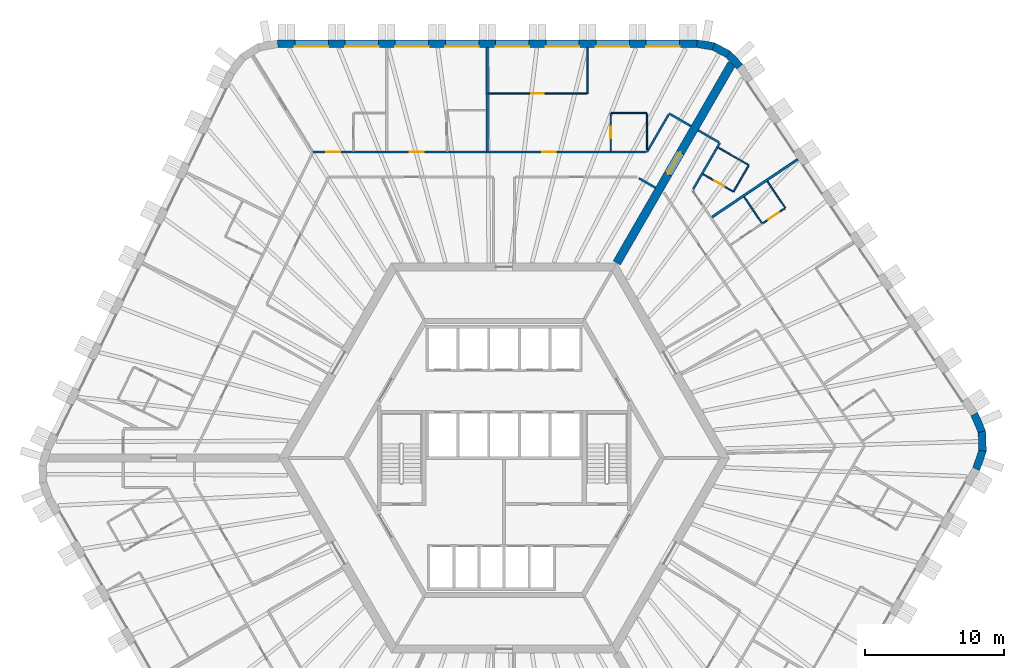
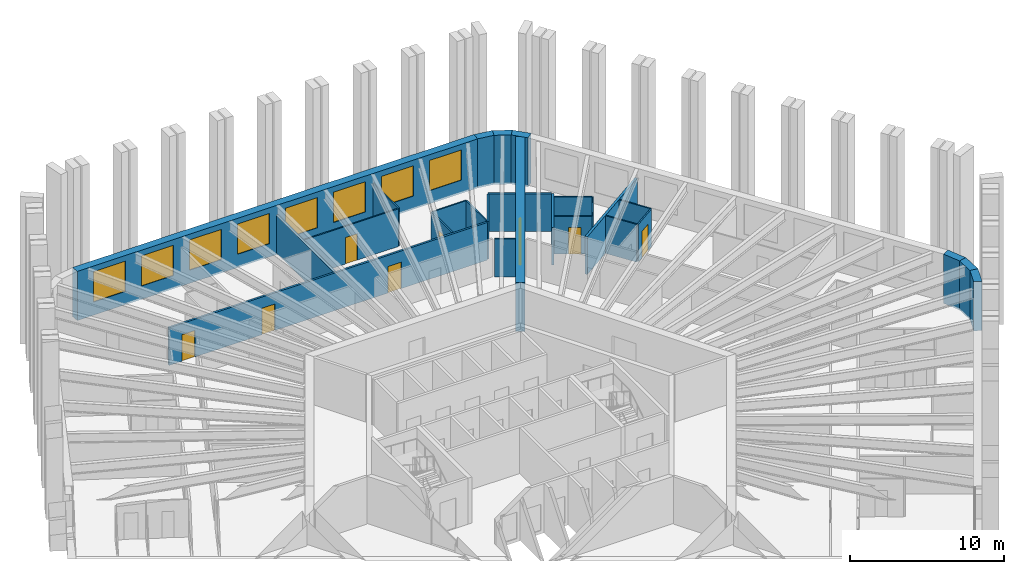
# One storey, part 10 of 13: 27 walls, 8 doors, 8 windows, 16 openings.
"""IFC4 building model written with IfcOpenShell, lengths in metres."""

from ifc_helpers import new_model, si_unit, direction, frame, frame_2d, origin, place, context, subcontext, project, spatial, polyline, rectangle, outline, extrude, material, layer, layer_set, type_object, element, fill, save


model = new_model("IFC4")

# Units and contexts
model_context = context("Model", 3, precision=1e-05, world=origin(), true_north=direction((0.0, 1.0)))
body_context = subcontext(model_context, "Body", "Model", "MODEL_VIEW")
ifc_project = project(units=[si_unit("LENGTHUNIT", "METRE"), si_unit("AREAUNIT", "SQUARE_METRE"), si_unit("VOLUMEUNIT", "CUBIC_METRE"), si_unit("PLANEANGLEUNIT", "RADIAN"), si_unit("MASSUNIT", "GRAM", prefix="KILO")], contexts=[model_context])

# Site, building, storey
site_placement = place(None, origin())
site = spatial("IfcSite", under=ifc_project, at=site_placement, CompositionType="ELEMENT")
building_placement = place(site_placement, origin())
building = spatial("IfcBuilding", under=site, at=building_placement, Name="Tarnside Tower", CompositionType="ELEMENT")
storey_placement = place(building_placement, frame((0.0, 0.0, 123.300048828125)))
storey = spatial("IfcBuildingStorey", under=building, at=storey_placement, Name="L28", CompositionType="ELEMENT", Elevation=123.300048828125)

# Wall, opening, door
ifc_material_1 = material(Name="Gypsum board partition on steel studs", Category="steel")
ifc_layer_1 = layer(ifc_material_1, 0.10009765625)
ifc_layer_set_1 = layer_set([ifc_layer_1], Name="Bathroom wall 100")
wall_type_1 = type_object("IfcWallType", Name="Bathroom wall 100", PredefinedType="PARTITIONING", material=ifc_layer_set_1)
wall_1_placement = place(storey_placement, frame((7.64794921875, 22.02490234375, 0.0), z_axis=(0.0, 0.0, 1.0), x_axis=(0.0, 1.0, 0.0)))
wall_1 = element("IfcWall", 1, at=wall_1_placement, inside=storey, type_object=wall_type_1, Name="Bathroom wall 09081", PredefinedType="PARTITIONING", context=body_context, shape_type="SweptSolid", body=[
    extrude(rectangle(XDim=2.72509765625, YDim=0.10009765625, at=frame_2d((1.362548828125, 0.0))), origin(), (0.0, 0.0, 1.0), 2.98779296875),
])
opening_1_placement = place(wall_1_placement, frame((0.925048828125, 0.0, 0.0)))
opening_1 = element("IfcOpeningElement", 2, at=opening_1_placement, cuts=wall_1, Name="Opening D-B1", PredefinedType="OPENING", context=body_context, shape_type="SweptSolid", body=[
    extrude(rectangle(XDim=0.800048828125, YDim=2.10009765625, at=frame_2d((0.39990234375, 1.050048828125))), frame((0.0, 0.06005859375, 0.0), z_axis=(0.0, -1.0, 0.0), x_axis=(1.0, 0.0, 0.0)), (0.0, 0.0, 1.0), 0.1201171875),
])
ifc_material_2 = material(Name="Timber door leaf", Category="wood")
door_type_1 = type_object("IfcDoorType", Name="Bathroom door 800", OperationType="NOTDEFINED", PredefinedType="DOOR", material=ifc_material_2)
door_1_placement = place(opening_1_placement, origin())
door_1 = element("IfcDoor", 3, at=door_1_placement, inside=storey, type_object=door_type_1, Name="Bathroom door 09002", OperationType="SINGLE_SWING_RIGHT", OverallHeight=2.10009765625, OverallWidth=0.800048828125, PredefinedType="DOOR", context=body_context, shape_type="SweptSolid", body=[
    extrude(rectangle(XDim=0.800048828125, YDim=2.10009765625, at=frame_2d((0.39990234375, 1.050048828125))), frame((0.0, 0.02490234375, 0.0), z_axis=(0.0, -1.0, 0.0), x_axis=(1.0, 0.0, 0.0)), (0.0, 0.0, 1.0), 0.050048828125),
])
fill(opening_1, door_1)

# Walls
wall_2_placement = place(storey_placement, frame((7.697998046875, 24.75, 0.0), z_axis=(0.0, 0.0, 1.0), x_axis=(1.0, 0.0, 0.0)))
element("IfcWall", 4, at=wall_2_placement, inside=storey, type_object=wall_type_1, Name="Bathroom wall 09082", PredefinedType="PARTITIONING", context=body_context, shape_type="SweptSolid", body=[
    extrude(rectangle(XDim=2.550048828125, YDim=0.10009765625, at=frame_2d((1.27490234375, 0.0))), origin(), (0.0, 0.0, 1.0), 2.98779296875),
])
wall_3_placement = place(storey_placement, frame((10.248046875, 24.699951171875, 0.0), z_axis=(0.0, 0.0, 1.0), x_axis=(0.0, -1.0, 0.0)))
element("IfcWall", 5, at=wall_3_placement, inside=storey, type_object=wall_type_1, Name="Bathroom wall 09083", PredefinedType="PARTITIONING", context=body_context, shape_type="SweptSolid", body=[
    extrude(rectangle(XDim=2.599853515625, YDim=0.10009765625, at=frame_2d((1.2998046875, 0.0))), origin(), (0.0, 0.0, 1.0), 2.98779296875),
])
wall_4_placement = place(storey_placement, frame((18.48388671875, 16.856689453125, 0.0), z_axis=(0.0, 0.0, 1.0), x_axis=(-0.559203826655, 0.82903020467, 0.0)))
element("IfcWall", 6, at=wall_4_placement, inside=storey, type_object=wall_type_1, Name="Bathroom wall 09168", PredefinedType="PARTITIONING", context=body_context, shape_type="SweptSolid", body=[
    extrude(rectangle(XDim=2.26025390625, YDim=0.10009765625, at=frame_2d((1.130126953125, 0.0))), origin(), (0.0, 0.0, 1.0), 2.98779296875),
])
wall_5_placement = place(storey_placement, frame((15.36865234375, 22.26953125, 0.0), z_axis=(0.0, 0.0, 1.0), x_axis=(0.866039067339, -0.499976333282, 0.0)))
element("IfcWall", 7, at=wall_5_placement, inside=storey, type_object=wall_type_1, Name="Bathroom wall 09171", PredefinedType="PARTITIONING", context=body_context, shape_type="SweptSolid", body=[
    extrude(rectangle(XDim=2.52490234375, YDim=0.10009765625, at=frame_2d((1.262451171875, 0.0))), origin(), (0.0, 0.0, 1.0), 2.98779296875),
])
wall_6_placement = place(storey_placement, frame((17.530517578125, 20.963623046875, 0.0), z_axis=(0.0, 0.0, 1.0), x_axis=(-0.500010803666, -0.866019166195, 0.0)))
element("IfcWall", 8, at=wall_6_placement, inside=storey, type_object=wall_type_1, Name="Bathroom wall 09172", PredefinedType="PARTITIONING", context=body_context, shape_type="SweptSolid", body=[
    extrude(rectangle(XDim=2.14990234375, YDim=0.10009765625, at=frame_2d((1.074951171875, 0.0))), origin(), (0.0, 0.0, 1.0), 2.98779296875),
])

# Wall, opening, door
wall_7_placement = place(storey_placement, frame((16.412109375, 19.126708984375, 0.0), z_axis=(0.0, 0.0, 1.0), x_axis=(-0.866006523861, 0.500032699561, 0.0)))
wall_7 = element("IfcWall", 9, at=wall_7_placement, inside=storey, type_object=wall_type_1, Name="Bathroom wall 09173", PredefinedType="PARTITIONING", context=body_context, shape_type="SweptSolid", body=[
    extrude(rectangle(XDim=2.474853515625, YDim=0.10009765625, at=frame_2d((1.2373046875, 0.0))), origin(), (0.0, 0.0, 1.0), 2.98779296875),
])
opening_2_placement = place(wall_7_placement, frame((0.719970703125, 0.0, 0.0)))
opening_2 = element("IfcOpeningElement", 10, at=opening_2_placement, cuts=wall_7, Name="Opening D-B1", PredefinedType="OPENING", context=body_context, shape_type="SweptSolid", body=[
    extrude(rectangle(XDim=0.800048828125, YDim=2.10009765625, at=frame_2d((0.39990234375, 1.050048828125))), frame((0.0, 0.06005859375, 0.0), z_axis=(0.0, -1.0, 0.0), x_axis=(1.0, 0.0, 0.0)), (0.0, 0.0, 1.0), 0.1201171875),
])
door_2_placement = place(opening_2_placement, origin())
door_2 = element("IfcDoor", 11, at=door_2_placement, inside=storey, type_object=door_type_1, Name="Bathroom door 09044", OperationType="SINGLE_SWING_RIGHT", OverallHeight=2.10009765625, OverallWidth=0.800048828125, PredefinedType="DOOR", context=body_context, shape_type="SweptSolid", body=[
    extrude(rectangle(XDim=0.800048828125, YDim=2.10009765625, at=frame_2d((0.39990234375, 1.050048828125))), frame((0.0, 0.02490234375, 0.0), z_axis=(0.0, -1.0, 0.0), x_axis=(1.0, 0.0, 0.0)), (0.0, 0.0, 1.0), 0.050048828125),
])
fill(opening_2, door_2)

ifc_material_3 = material(Name="Concrete C80/95", Category="concrete")
ifc_layer_2 = layer(ifc_material_3, 0.60009765625)
ifc_layer_set_2 = layer_set([ifc_layer_2], Name="Core wall Z1 600 C80/95")
wall_type_2 = type_object("IfcWallType", Name="Core wall Z1 600 C80/95", PredefinedType="SHEAR", material=ifc_layer_set_2)
wall_8_placement = place(storey_placement, frame((8.0830078125, 14.0, -0.150146484375), z_axis=(0.0, 0.0, 1.0), x_axis=(0.499997680643, 0.866026742862, 0.0)))
wall_8 = element("IfcWall", 12, at=wall_8_placement, inside=storey, type_object=wall_type_2, Name="L28 spine wall 1", PredefinedType="SHEAR", context=body_context, shape_type="SweptSolid", body=[
    extrude(rectangle(XDim=16.5087890625, YDim=0.60009765625, at=frame_2d((8.25439453125, 0.0))), origin(), (0.0, 0.0, 1.0), 3.900146484375),
])
opening_3_placement = place(wall_8_placement, frame((7.3544921875, 0.0, 0.14990234375)))
opening_3 = element("IfcOpeningElement", 13, at=opening_3_placement, cuts=wall_8, Name="Opening CD-SPN", PredefinedType="OPENING", context=body_context, shape_type="SweptSolid", body=[
    extrude(rectangle(XDim=1.800048828125, YDim=2.39990234375, at=frame_2d((0.89990234375, 1.199951171875))), frame((0.0, 0.31005859375, 0.0), z_axis=(0.0, -1.0, 0.0), x_axis=(1.0, 0.0, 0.0)), (0.0, 0.0, 1.0), 0.6201171875),
])
ifc_material_4 = material(Name="Steel fire door", Category="steel")
door_type_2 = type_object("IfcDoorType", Name="Spine passage double door FD60 1800x2400", OperationType="NOTDEFINED", PredefinedType="DOOR", material=ifc_material_4)
door_3_placement = place(opening_3_placement, origin())
door_3 = element("IfcDoor", 14, at=door_3_placement, inside=storey, type_object=door_type_2, Name="L28 spine passage door 1", OperationType="DOUBLE_DOOR_SINGLE_SWING", OverallHeight=2.39990234375, OverallWidth=1.800048828125, PredefinedType="DOOR", context=body_context, shape_type="SweptSolid", body=[
    extrude(rectangle(XDim=1.800048828125, YDim=2.39990234375, at=frame_2d((0.89990234375, 1.199951171875))), frame((0.0, 0.02490234375, 0.0), z_axis=(0.0, -1.0, 0.0), x_axis=(1.0, 0.0, 0.0)), (0.0, 0.0, 1.0), 0.050048828125),
])
fill(opening_3, door_3)

# Wall, openings, doors
ifc_layer_3 = layer(ifc_material_1, 0.14990234375)
ifc_layer_set_3 = layer_set([ifc_layer_3], Name="Corridor wall 150 EI 60")
wall_type_3 = type_object("IfcWallType", Name="Corridor wall 150 EI 60", PredefinedType="PARTITIONING", material=ifc_layer_set_3)
wall_9_placement = place(storey_placement, frame((10.161376953125, 21.949951171875, 0.0), z_axis=(0.0, 0.0, 1.0), x_axis=(-1.0, 0.0, 0.0)))
wall_9 = element("IfcWall", 15, at=wall_9_placement, inside=storey, type_object=wall_type_3, Name="Corridor wall 09001", PredefinedType="PARTITIONING", context=body_context, shape_type="SweptSolid", body=[
    extrude(rectangle(XDim=23.877197265625, YDim=0.14990234375, at=frame_2d((11.9384765625, 0.0))), origin(), (0.0, 0.0, 1.0), 2.98779296875),
])
opening_4_placement = place(wall_9_placement, frame((6.44287109375, 0.0, 0.0)))
opening_4 = element("IfcOpeningElement", 16, at=opening_4_placement, cuts=wall_9, Name="Opening D-E1", PredefinedType="OPENING", context=body_context, shape_type="SweptSolid", body=[
    extrude(rectangle(XDim=1.0, YDim=2.10009765625, at=frame_2d((0.5, 1.050048828125))), frame((0.0, 0.0849609375, 0.0), z_axis=(0.0, -1.0, 0.0), x_axis=(1.0, 0.0, 0.0)), (0.0, 0.0, 1.0), 0.169921875),
])
opening_5_placement = place(wall_9_placement, frame((15.92236328125, 0.0, 0.0)))
opening_5 = element("IfcOpeningElement", 17, at=opening_5_placement, cuts=wall_9, Name="Opening D-E1", PredefinedType="OPENING", context=body_context, shape_type="SweptSolid", body=[
    extrude(rectangle(XDim=1.0, YDim=2.10009765625, at=frame_2d((0.5, 1.050048828125))), frame((0.0, 0.0849609375, 0.0), z_axis=(0.0, -1.0, 0.0), x_axis=(1.0, 0.0, 0.0)), (0.0, 0.0, 1.0), 0.169921875),
])
opening_6_placement = place(wall_9_placement, frame((21.9248046875, 0.0, 0.0)))
opening_6 = element("IfcOpeningElement", 18, at=opening_6_placement, cuts=wall_9, Name="Opening D-E1", PredefinedType="OPENING", context=body_context, shape_type="SweptSolid", body=[
    extrude(rectangle(XDim=1.0, YDim=2.10009765625, at=frame_2d((0.5, 1.050048828125))), frame((0.0, 0.0849609375, 0.0), z_axis=(0.0, -1.0, 0.0), x_axis=(1.0, 0.0, 0.0)), (0.0, 0.0, 1.0), 0.169921875),
])
door_type_3 = type_object("IfcDoorType", Name="Unit entrance door 1000 FD30S", OperationType="NOTDEFINED", PredefinedType="DOOR", material=ifc_material_2)
door_4_placement = place(opening_4_placement, origin())
door_4 = element("IfcDoor", 19, at=door_4_placement, inside=storey, type_object=door_type_3, Name="Unit door 09001", OperationType="SINGLE_SWING_RIGHT", OverallHeight=2.10009765625, OverallWidth=1.0, PredefinedType="DOOR", context=body_context, shape_type="SweptSolid", body=[
    extrude(rectangle(XDim=1.0, YDim=2.10009765625, at=frame_2d((0.5, 1.050048828125))), frame((0.0, 0.02490234375, 0.0), z_axis=(0.0, -1.0, 0.0), x_axis=(1.0, 0.0, 0.0)), (0.0, 0.0, 1.0), 0.050048828125),
])
fill(opening_4, door_4)
door_5_placement = place(opening_5_placement, origin())
door_5 = element("IfcDoor", 20, at=door_5_placement, inside=storey, type_object=door_type_3, Name="Unit door 09004", OperationType="SINGLE_SWING_LEFT", OverallHeight=2.10009765625, OverallWidth=1.0, PredefinedType="DOOR", context=body_context, shape_type="SweptSolid", body=[
    extrude(rectangle(XDim=1.0, YDim=2.10009765625, at=frame_2d((0.5, 1.050048828125))), frame((0.0, 0.02490234375, 0.0), z_axis=(0.0, -1.0, 0.0), x_axis=(1.0, 0.0, 0.0)), (0.0, 0.0, 1.0), 0.050048828125),
])
fill(opening_5, door_5)
door_6_placement = place(opening_6_placement, origin())
door_6 = element("IfcDoor", 21, at=door_6_placement, inside=storey, type_object=door_type_3, Name="Unit door 09006", OperationType="SINGLE_SWING_LEFT", OverallHeight=2.10009765625, OverallWidth=1.0, PredefinedType="DOOR", context=body_context, shape_type="SweptSolid", body=[
    extrude(rectangle(XDim=1.0, YDim=2.10009765625, at=frame_2d((0.5, 1.050048828125))), frame((0.0, 0.02490234375, 0.0), z_axis=(0.0, -1.0, 0.0), x_axis=(1.0, 0.0, 0.0)), (0.0, 0.0, 1.0), 0.050048828125),
])
fill(opening_6, door_6)

# Walls
wall_10_placement = place(storey_placement, frame((13.400390625, 23.81005859375, 0.0), z_axis=(0.0, 0.0, 1.0), x_axis=(-0.865989075817, 0.500062916607, 0.0)))
element("IfcWall", 22, at=wall_10_placement, inside=storey, type_object=wall_type_3, Name="Corridor wall 09002", PredefinedType="PARTITIONING", context=body_context, shape_type="SweptSolid", body=[
    extrude(rectangle(XDim=1.800048828125, YDim=0.14990234375, at=frame_2d((0.89990234375, 0.0))), origin(), (0.0, 0.0, 1.0), 2.98779296875),
])
wall_11_placement = place(storey_placement, frame((11.803955078125, 24.64501953125, 0.0), z_axis=(0.0, 0.0, 1.0), x_axis=(-0.499978251519, -0.866037959912, 0.0)))
element("IfcWall", 23, at=wall_11_placement, inside=storey, type_object=wall_type_3, Name="Corridor wall 09003", PredefinedType="PARTITIONING", context=body_context, shape_type="SweptSolid", body=[
    extrude(rectangle(XDim=3.112060546875, YDim=0.14990234375, at=frame_2d((1.55615234375, 0.0))), origin(), (0.0, 0.0, 1.0), 2.98779296875),
])
wall_12_placement = place(storey_placement, frame((9.6669921875, 20.074951171875, 0.0), z_axis=(0.0, 0.0, 1.0), x_axis=(0.866000994684, -0.500042275419, 0.0)))
element("IfcWall", 24, at=wall_12_placement, inside=storey, type_object=wall_type_3, Name="Corridor wall 09024", PredefinedType="PARTITIONING", context=body_context, shape_type="SweptSolid", body=[
    extrude(rectangle(XDim=1.36572265625, YDim=0.14990234375, at=frame_2d((0.682861328125, 0.0))), origin(), (0.0, 0.0, 1.0), 2.98779296875),
])
wall_13_placement = place(storey_placement, frame((13.55908203125, 19.284912109375, 0.0), z_axis=(0.0, 0.0, 1.0), x_axis=(0.499975646431, 0.866039463868, 0.0)))
element("IfcWall", 25, at=wall_13_placement, inside=storey, type_object=wall_type_3, Name="Corridor wall 09066", PredefinedType="PARTITIONING", context=body_context, shape_type="SweptSolid", body=[
    extrude(rectangle(XDim=3.839599609375, YDim=0.14990234375, at=frame_2d((1.919921875, 0.0))), origin(), (0.0, 0.0, 1.0), 2.98779296875),
])
wall_14_placement = place(storey_placement, frame((15.413818359375, 22.647705078125, 0.0), z_axis=(0.0, 0.0, 1.0), x_axis=(-0.866074815912, 0.499914405916, 0.0)))
element("IfcWall", 26, at=wall_14_placement, inside=storey, type_object=wall_type_3, Name="Corridor wall 09067", PredefinedType="PARTITIONING", context=body_context, shape_type="SweptSolid", body=[
    extrude(rectangle(XDim=1.724853515625, YDim=0.14990234375, at=frame_2d((0.8623046875, 0.0))), origin(), (0.0, 0.0, 1.0), 2.98779296875),
])
ifc_layer_4 = layer(ifc_material_1, 0.179931640625)
ifc_layer_set_4 = layer_set([ifc_layer_4], Name="Demising wall 180 EI 60")
wall_type_4 = type_object("IfcWallType", Name="Demising wall 180 EI 60", PredefinedType="PARTITIONING", material=ifc_layer_set_4)
for number, where, z_axis, x_axis, name in (
    (27, (-1.2109375, 29.449951171875, 0.0), (0.0, 0.0, 1.0), (0.0, -1.0, 0.0), "Demising wall 09086"),
    (28, (21.066162109375, 21.433349609375, 0.0), (0.0, 0.0, 1.0), (-0.829028170871, -0.559206841788, 0.0), "Demising wall 09167"),
):
    element("IfcWall", number, at=place(storey_placement, frame(where, z_axis=z_axis, x_axis=x_axis)), inside=storey, type_object=wall_type_4, Name=name, PredefinedType="PARTITIONING", context=body_context, shape_type="SweptSolid", body=[
        extrude(rectangle(XDim=7.425048828125, YDim=0.179931640625, at=frame_2d((3.71240234375, 0.0))), origin(), (0.0, 0.0, 1.0), 2.98779296875),
    ])
ifc_layer_5 = layer(ifc_material_1, 0.10009765625)
ifc_layer_set_5 = layer_set([ifc_layer_5], Name="Partition 100")
wall_type_5 = type_object("IfcWallType", Name="Partition 100", PredefinedType="PARTITIONING", material=ifc_layer_set_5)
wall_15_placement = place(storey_placement, frame((5.989013671875, 29.449951171875, 0.0), z_axis=(0.0, 0.0, 1.0), x_axis=(0.0, -1.0, 0.0)))
element("IfcWall", 29, at=wall_15_placement, inside=storey, type_object=wall_type_5, Name="Partition wall 09084", PredefinedType="PARTITIONING", context=body_context, shape_type="SweptSolid", body=[
    extrude(rectangle(XDim=3.300048828125, YDim=0.10009765625, at=frame_2d((1.64990234375, 0.0))), origin(), (0.0, 0.0, 1.0), 2.98779296875),
])

# Wall, opening, door
wall_16_placement = place(storey_placement, frame((5.93896484375, 26.14990234375, 0.0), z_axis=(0.0, 0.0, 1.0), x_axis=(-1.0, 0.0, 0.0)))
wall_16 = element("IfcWall", 30, at=wall_16_placement, inside=storey, type_object=wall_type_5, Name="Partition wall 09085", PredefinedType="PARTITIONING", context=body_context, shape_type="SweptSolid", body=[
    extrude(rectangle(XDim=7.06005859375, YDim=0.10009765625, at=frame_2d((3.530029296875, 0.0))), origin(), (0.0, 0.0, 1.0), 2.98779296875),
])
opening_7_placement = place(wall_16_placement, frame((3.10009765625, 0.0, 0.0)))
opening_7 = element("IfcOpeningElement", 31, at=opening_7_placement, cuts=wall_16, Name="Opening D-I1", PredefinedType="OPENING", context=body_context, shape_type="SweptSolid", body=[
    extrude(rectangle(XDim=0.89990234375, YDim=2.10009765625, at=frame_2d((0.449951171875, 1.050048828125))), frame((0.0, 0.06005859375, 0.0), z_axis=(0.0, -1.0, 0.0), x_axis=(1.0, 0.0, 0.0)), (0.0, 0.0, 1.0), 0.1201171875),
])
door_type_4 = type_object("IfcDoorType", Name="Internal door 900", OperationType="NOTDEFINED", PredefinedType="DOOR", material=ifc_material_2)
door_7_placement = place(opening_7_placement, origin())
door_7 = element("IfcDoor", 32, at=door_7_placement, inside=storey, type_object=door_type_4, Name="Internal door 09003", OperationType="SINGLE_SWING_RIGHT", OverallHeight=2.10009765625, OverallWidth=0.89990234375, PredefinedType="DOOR", context=body_context, shape_type="SweptSolid", body=[
    extrude(rectangle(XDim=0.89990234375, YDim=2.10009765625, at=frame_2d((0.449951171875, 1.050048828125))), frame((0.0, 0.02490234375, 0.0), z_axis=(0.0, -1.0, 0.0), x_axis=(1.0, 0.0, 0.0)), (0.0, 0.0, 1.0), 0.050048828125),
])
fill(opening_7, door_7)

# Wall
wall_17_placement = place(storey_placement, frame((18.878173828125, 19.848876953125, 0.0), z_axis=(0.0, 0.0, 1.0), x_axis=(0.559204176839, -0.829029968461, 0.0)))
element("IfcWall", 33, at=wall_17_placement, inside=storey, type_object=wall_type_5, Name="Partition wall 09163", PredefinedType="PARTITIONING", context=body_context, shape_type="SweptSolid", body=[
    extrude(rectangle(XDim=2.31005859375, YDim=0.10009765625, at=frame_2d((1.155029296875, 0.0))), origin(), (0.0, 0.0, 1.0), 2.98779296875),
])

# Wall, opening, door
wall_18_placement = place(storey_placement, frame((20.12841796875, 17.90576171875, 0.0), z_axis=(0.0, 0.0, 1.0), x_axis=(-0.82903334026, -0.559199178055, 0.0)))
wall_18 = element("IfcWall", 34, at=wall_18_placement, inside=storey, type_object=wall_type_5, Name="Partition wall 09164", PredefinedType="PARTITIONING", context=body_context, shape_type="SweptSolid", body=[
    extrude(rectangle(XDim=1.900146484375, YDim=0.10009765625, at=frame_2d((0.9501953125, 0.0))), origin(), (0.0, 0.0, 1.0), 2.98779296875),
])
opening_8_placement = place(wall_18_placement, frame((0.5, 0.0, 0.0)))
opening_8 = element("IfcOpeningElement", 35, at=opening_8_placement, cuts=wall_18, Name="Opening D-I1", PredefinedType="OPENING", context=body_context, shape_type="SweptSolid", body=[
    extrude(rectangle(XDim=0.89990234375, YDim=2.10009765625, at=frame_2d((0.449951171875, 1.050048828125))), frame((0.0, 0.06005859375, 0.0), z_axis=(0.0, -1.0, 0.0), x_axis=(1.0, 0.0, 0.0)), (0.0, 0.0, 1.0), 0.1201171875),
])
door_8_placement = place(opening_8_placement, origin())
door_8 = element("IfcDoor", 36, at=door_8_placement, inside=storey, type_object=door_type_4, Name="Internal door 09041", OperationType="SINGLE_SWING_RIGHT", OverallHeight=2.10009765625, OverallWidth=0.89990234375, PredefinedType="DOOR", context=body_context, shape_type="SweptSolid", body=[
    extrude(rectangle(XDim=0.89990234375, YDim=2.10009765625, at=frame_2d((0.449951171875, 1.050048828125))), frame((0.0, 0.02490234375, 0.0), z_axis=(0.0, -1.0, 0.0), x_axis=(1.0, 0.0, 0.0)), (0.0, 0.0, 1.0), 0.050048828125),
])
fill(opening_8, door_8)

# Wall, openings, windows
ifc_material_5 = material(Name="Facing brick", Category="masonry")
ifc_layer_6 = layer(ifc_material_5, 0.10205078125)
ifc_material_6 = material(Name="Concrete C60/75 precast", Category="concrete")
ifc_layer_7 = layer(ifc_material_6, 0.347900390625)
ifc_material_7 = material(Name="Mineral wool insulation")
ifc_layer_8 = layer(ifc_material_7, 0.10009765625)
ifc_layer_set_6 = layer_set([ifc_layer_6, ifc_layer_7, ifc_layer_8], Name="Tube wall 550 brick faced")
wall_type_6 = type_object("IfcWallType", Name="Tube wall 550 brick faced", PredefinedType="SOLIDWALL", material=ifc_layer_set_6)
wall_19_placement = place(storey_placement, frame((13.824462890625, 29.72509765625, -0.150146484375), z_axis=(0.0, 0.0, 1.0), x_axis=(-1.0, 0.0, 0.0)))
wall_19 = element("IfcWall", 37, at=wall_19_placement, inside=storey, type_object=wall_type_6, Name="Tube wall L28 F1 flush 00", PredefinedType="SOLIDWALL", context=body_context, shape_type="SweptSolid", body=[
    extrude(outline(polyline([(-0.0224609375, -0.27490234375), (30.0966796875, -0.27490234375), (30.04541015625, 0.27490234375), (0.0224609375, 0.27490234375), (-0.0224609375, -0.27490234375)])), origin(), (0.0, 0.0, 1.0), 3.900146484375),
])
opening_9_placement = place(wall_19_placement, frame((1.235595703125, 0.0, 1.050048828125)))
opening_9 = element("IfcOpeningElement", 38, at=opening_9_placement, cuts=wall_19, Name="Opening WH", PredefinedType="OPENING", context=body_context, shape_type="SweptSolid", body=[
    extrude(rectangle(XDim=2.39990234375, YDim=2.39990234375, at=frame_2d((1.199951171875, 1.199951171875))), frame((0.0, 0.28515625, 0.0), z_axis=(0.0, -1.0, 0.0), x_axis=(1.0, 0.0, 0.0)), (0.0, 0.0, 1.0), 0.570068359375),
])
opening_10_placement = place(wall_19_placement, frame((4.83544921875, 0.0, 1.050048828125)))
opening_10 = element("IfcOpeningElement", 39, at=opening_10_placement, cuts=wall_19, Name="Opening WH", PredefinedType="OPENING", context=body_context, shape_type="SweptSolid", body=[
    extrude(rectangle(XDim=2.39990234375, YDim=2.39990234375, at=frame_2d((1.199951171875, 1.199951171875))), frame((0.0, 0.28515625, 0.0), z_axis=(0.0, -1.0, 0.0), x_axis=(1.0, 0.0, 0.0)), (0.0, 0.0, 1.0), 0.570068359375),
])
opening_11_placement = place(wall_19_placement, frame((8.435546875, 0.0, 1.050048828125)))
opening_11 = element("IfcOpeningElement", 40, at=opening_11_placement, cuts=wall_19, Name="Opening WH", PredefinedType="OPENING", context=body_context, shape_type="SweptSolid", body=[
    extrude(rectangle(XDim=2.39990234375, YDim=2.39990234375, at=frame_2d((1.199951171875, 1.199951171875))), frame((0.0, 0.28515625, 0.0), z_axis=(0.0, -1.0, 0.0), x_axis=(1.0, 0.0, 0.0)), (0.0, 0.0, 1.0), 0.570068359375),
])
opening_12_placement = place(wall_19_placement, frame((12.035400390625, 0.0, 1.050048828125)))
opening_12 = element("IfcOpeningElement", 41, at=opening_12_placement, cuts=wall_19, Name="Opening WH", PredefinedType="OPENING", context=body_context, shape_type="SweptSolid", body=[
    extrude(rectangle(XDim=2.39990234375, YDim=2.39990234375, at=frame_2d((1.199951171875, 1.199951171875))), frame((0.0, 0.28515625, 0.0), z_axis=(0.0, -1.0, 0.0), x_axis=(1.0, 0.0, 0.0)), (0.0, 0.0, 1.0), 0.570068359375),
])
opening_13_placement = place(wall_19_placement, frame((15.635498046875, 0.0, 1.050048828125)))
opening_13 = element("IfcOpeningElement", 42, at=opening_13_placement, cuts=wall_19, Name="Opening WH", PredefinedType="OPENING", context=body_context, shape_type="SweptSolid", body=[
    extrude(rectangle(XDim=2.39990234375, YDim=2.39990234375, at=frame_2d((1.199951171875, 1.199951171875))), frame((0.0, 0.28515625, 0.0), z_axis=(0.0, -1.0, 0.0), x_axis=(1.0, 0.0, 0.0)), (0.0, 0.0, 1.0), 0.570068359375),
])
opening_14_placement = place(wall_19_placement, frame((19.235595703125, 0.0, 1.050048828125)))
opening_14 = element("IfcOpeningElement", 43, at=opening_14_placement, cuts=wall_19, Name="Opening WH", PredefinedType="OPENING", context=body_context, shape_type="SweptSolid", body=[
    extrude(rectangle(XDim=2.39990234375, YDim=2.39990234375, at=frame_2d((1.199951171875, 1.199951171875))), frame((0.0, 0.28515625, 0.0), z_axis=(0.0, -1.0, 0.0), x_axis=(1.0, 0.0, 0.0)), (0.0, 0.0, 1.0), 0.570068359375),
])
opening_15_placement = place(wall_19_placement, frame((22.83544921875, 0.0, 1.050048828125)))
opening_15 = element("IfcOpeningElement", 44, at=opening_15_placement, cuts=wall_19, Name="Opening WH", PredefinedType="OPENING", context=body_context, shape_type="SweptSolid", body=[
    extrude(rectangle(XDim=2.39990234375, YDim=2.39990234375, at=frame_2d((1.199951171875, 1.199951171875))), frame((0.0, 0.28515625, 0.0), z_axis=(0.0, -1.0, 0.0), x_axis=(1.0, 0.0, 0.0)), (0.0, 0.0, 1.0), 0.570068359375),
])
opening_16_placement = place(wall_19_placement, frame((26.435546875, 0.0, 1.050048828125)))
opening_16 = element("IfcOpeningElement", 45, at=opening_16_placement, cuts=wall_19, Name="Opening WH", PredefinedType="OPENING", context=body_context, shape_type="SweptSolid", body=[
    extrude(rectangle(XDim=2.39990234375, YDim=2.39990234375, at=frame_2d((1.199951171875, 1.199951171875))), frame((0.0, 0.28515625, 0.0), z_axis=(0.0, -1.0, 0.0), x_axis=(1.0, 0.0, 0.0)), (0.0, 0.0, 1.0), 0.570068359375),
])
ifc_material_8 = material(Name="Aluminium-framed double glazing", Category="aluminium")
window_type = type_object("IfcWindowType", Name="Hotel window 2400 x 2400", PartitioningType="DOUBLE_PANEL_VERTICAL", PredefinedType="WINDOW", material=ifc_material_8)
window_1_placement = place(opening_9_placement, frame((0.0, 0.205078125, 0.0)))
window_1 = element("IfcWindow", 46, at=window_1_placement, inside=storey, type_object=window_type, Name="E.WN.L28.F1.00", OverallHeight=2.39990234375, OverallWidth=2.39990234375, PartitioningType="DOUBLE_PANEL_VERTICAL", PredefinedType="WINDOW", context=body_context, shape_type="SweptSolid", body=[
    extrude(rectangle(XDim=2.39990234375, YDim=2.39990234375, at=frame_2d((1.199951171875, 1.199951171875))), frame((0.0, 0.030029296875, 0.0), z_axis=(0.0, -1.0, 0.0), x_axis=(1.0, 0.0, 0.0)), (0.0, 0.0, 1.0), 0.06005859375),
])
fill(opening_9, window_1)
window_2_placement = place(opening_10_placement, frame((0.0, 0.205078125, 0.0)))
window_2 = element("IfcWindow", 47, at=window_2_placement, inside=storey, type_object=window_type, Name="E.WN.L28.F1.01", OverallHeight=2.39990234375, OverallWidth=2.39990234375, PartitioningType="DOUBLE_PANEL_VERTICAL", PredefinedType="WINDOW", context=body_context, shape_type="SweptSolid", body=[
    extrude(rectangle(XDim=2.39990234375, YDim=2.39990234375, at=frame_2d((1.199951171875, 1.199951171875))), frame((0.0, 0.030029296875, 0.0), z_axis=(0.0, -1.0, 0.0), x_axis=(1.0, 0.0, 0.0)), (0.0, 0.0, 1.0), 0.06005859375),
])
fill(opening_10, window_2)
window_3_placement = place(opening_11_placement, frame((0.0, 0.205078125, 0.0)))
window_3 = element("IfcWindow", 48, at=window_3_placement, inside=storey, type_object=window_type, Name="E.WN.L28.F1.02", OverallHeight=2.39990234375, OverallWidth=2.39990234375, PartitioningType="DOUBLE_PANEL_VERTICAL", PredefinedType="WINDOW", context=body_context, shape_type="SweptSolid", body=[
    extrude(rectangle(XDim=2.39990234375, YDim=2.39990234375, at=frame_2d((1.199951171875, 1.199951171875))), frame((0.0, 0.030029296875, 0.0), z_axis=(0.0, -1.0, 0.0), x_axis=(1.0, 0.0, 0.0)), (0.0, 0.0, 1.0), 0.06005859375),
])
fill(opening_11, window_3)
window_4_placement = place(opening_12_placement, frame((0.0, 0.205078125, 0.0)))
window_4 = element("IfcWindow", 49, at=window_4_placement, inside=storey, type_object=window_type, Name="E.WN.L28.F1.03", OverallHeight=2.39990234375, OverallWidth=2.39990234375, PartitioningType="DOUBLE_PANEL_VERTICAL", PredefinedType="WINDOW", context=body_context, shape_type="SweptSolid", body=[
    extrude(rectangle(XDim=2.39990234375, YDim=2.39990234375, at=frame_2d((1.199951171875, 1.199951171875))), frame((0.0, 0.030029296875, 0.0), z_axis=(0.0, -1.0, 0.0), x_axis=(1.0, 0.0, 0.0)), (0.0, 0.0, 1.0), 0.06005859375),
])
fill(opening_12, window_4)
window_5_placement = place(opening_13_placement, frame((0.0, 0.205078125, 0.0)))
window_5 = element("IfcWindow", 50, at=window_5_placement, inside=storey, type_object=window_type, Name="E.WN.L28.F1.04", OverallHeight=2.39990234375, OverallWidth=2.39990234375, PartitioningType="DOUBLE_PANEL_VERTICAL", PredefinedType="WINDOW", context=body_context, shape_type="SweptSolid", body=[
    extrude(rectangle(XDim=2.39990234375, YDim=2.39990234375, at=frame_2d((1.199951171875, 1.199951171875))), frame((0.0, 0.030029296875, 0.0), z_axis=(0.0, -1.0, 0.0), x_axis=(1.0, 0.0, 0.0)), (0.0, 0.0, 1.0), 0.06005859375),
])
fill(opening_13, window_5)
window_6_placement = place(opening_14_placement, frame((0.0, 0.205078125, 0.0)))
window_6 = element("IfcWindow", 51, at=window_6_placement, inside=storey, type_object=window_type, Name="E.WN.L28.F1.05", OverallHeight=2.39990234375, OverallWidth=2.39990234375, PartitioningType="DOUBLE_PANEL_VERTICAL", PredefinedType="WINDOW", context=body_context, shape_type="SweptSolid", body=[
    extrude(rectangle(XDim=2.39990234375, YDim=2.39990234375, at=frame_2d((1.199951171875, 1.199951171875))), frame((0.0, 0.030029296875, 0.0), z_axis=(0.0, -1.0, 0.0), x_axis=(1.0, 0.0, 0.0)), (0.0, 0.0, 1.0), 0.06005859375),
])
fill(opening_14, window_6)
window_7_placement = place(opening_15_placement, frame((0.0, 0.205078125, 0.0)))
window_7 = element("IfcWindow", 52, at=window_7_placement, inside=storey, type_object=window_type, Name="E.WN.L28.F1.06", OverallHeight=2.39990234375, OverallWidth=2.39990234375, PartitioningType="DOUBLE_PANEL_VERTICAL", PredefinedType="WINDOW", context=body_context, shape_type="SweptSolid", body=[
    extrude(rectangle(XDim=2.39990234375, YDim=2.39990234375, at=frame_2d((1.199951171875, 1.199951171875))), frame((0.0, 0.030029296875, 0.0), z_axis=(0.0, -1.0, 0.0), x_axis=(1.0, 0.0, 0.0)), (0.0, 0.0, 1.0), 0.06005859375),
])
fill(opening_15, window_7)
window_8_placement = place(opening_16_placement, frame((0.0, 0.205078125, 0.0)))
window_8 = element("IfcWindow", 53, at=window_8_placement, inside=storey, type_object=window_type, Name="E.WN.L28.F1.07", OverallHeight=2.39990234375, OverallWidth=2.39990234375, PartitioningType="DOUBLE_PANEL_VERTICAL", PredefinedType="WINDOW", context=body_context, shape_type="SweptSolid", body=[
    extrude(rectangle(XDim=2.39990234375, YDim=2.39990234375, at=frame_2d((1.199951171875, 1.199951171875))), frame((0.0, 0.030029296875, 0.0), z_axis=(0.0, -1.0, 0.0), x_axis=(1.0, 0.0, 0.0)), (0.0, 0.0, 1.0), 0.06005859375),
])
fill(opening_16, window_8)

# Walls
wall_20_placement = place(storey_placement, frame((33.865966796875, -0.79248046875, -0.150146484375), z_axis=(0.0, 0.0, 1.0), x_axis=(0.33111537203, 0.943590276765, 0.0)))
element("IfcWall", 54, at=wall_20_placement, inside=storey, type_object=wall_type_6, Name="Tube wall L28 F5 chord 17", PredefinedType="SOLIDWALL", context=body_context, shape_type="SweptSolid", body=[
    extrude(outline(polyline([(-0.025634765625, -0.27490234375), (1.4306640625, -0.27490234375), (1.3271484375, 0.27490234375), (0.025634765625, 0.27490234375), (-0.025634765625, -0.27490234375)])), origin(), (0.0, 0.0, 1.0), 3.900146484375),
])
wall_21_placement = place(storey_placement, frame((34.322509765625, 0.508544921875, -0.150146484375), z_axis=(0.0, 0.0, 1.0), x_axis=(-0.034876908462, 0.999391615562, 0.0)))
element("IfcWall", 55, at=wall_21_placement, inside=storey, type_object=wall_type_6, Name="Tube wall L28 F5 chord 18", PredefinedType="SOLIDWALL", context=body_context, shape_type="SweptSolid", body=[
    extrude(outline(polyline([(-0.0517578125, -0.27490234375), (1.4306640625, -0.27490234375), (1.3271484375, 0.27490234375), (0.0517578125, 0.27490234375), (-0.0517578125, -0.27490234375)])), origin(), (0.0, 0.0, 1.0), 3.900146484375),
])
wall_22_placement = place(storey_placement, frame((34.2744140625, 1.88671875, -0.150146484375), z_axis=(0.0, 0.0, 1.0), x_axis=(-0.396161342798, 0.918180913803, 0.0)))
element("IfcWall", 56, at=wall_22_placement, inside=storey, type_object=wall_type_6, Name="Tube wall L28 F5 chord 19", PredefinedType="SOLIDWALL", context=body_context, shape_type="SweptSolid", body=[
    extrude(outline(polyline([(-0.0517578125, -0.27490234375), (1.40478515625, -0.27490234375), (1.353515625, 0.27490234375), (0.0517578125, 0.27490234375), (-0.0517578125, -0.27490234375)])), origin(), (0.0, 0.0, 1.0), 3.900146484375),
])
wall_23_placement = place(storey_placement, frame((16.91259765625, 28.0830078125, -0.150146484375), z_axis=(0.0, 0.0, 1.0), x_axis=(-0.686196220404, 0.727416488061, 0.0)))
element("IfcWall", 57, at=wall_23_placement, inside=storey, type_object=wall_type_6, Name="Tube wall L28 F6 chord 21", PredefinedType="SOLIDWALL", context=body_context, shape_type="SweptSolid", body=[
    extrude(outline(polyline([(-0.0224609375, -0.27490234375), (1.25341796875, -0.27490234375), (1.1630859375, 0.27490234375), (0.0224609375, 0.27490234375), (-0.0224609375, -0.27490234375)])), origin(), (0.0, 0.0, 1.0), 3.900146484375),
])
wall_24_placement = place(storey_placement, frame((16.08349609375, 28.9619140625, -0.150146484375), z_axis=(0.0, 0.0, 1.0), x_axis=(-0.882995347911, 0.469381737574, 0.0)))
element("IfcWall", 58, at=wall_24_placement, inside=storey, type_object=wall_type_6, Name="Tube wall L28 F6 chord 22", PredefinedType="SOLIDWALL", context=body_context, shape_type="SweptSolid", body=[
    extrude(outline(polyline([(-0.045166015625, -0.27490234375), (1.25341796875, -0.27490234375), (1.1630859375, 0.27490234375), (0.045166015625, 0.27490234375), (-0.045166015625, -0.27490234375)])), origin(), (0.0, 0.0, 1.0), 3.900146484375),
])
wall_25_placement = place(storey_placement, frame((15.0166015625, 29.529052734375, -0.150146484375), z_axis=(0.0, 0.0, 1.0), x_axis=(-0.986746625868, 0.162268593195, 0.0)))
element("IfcWall", 59, at=wall_25_placement, inside=storey, type_object=wall_type_6, Name="Tube wall L28 F6 chord 23", PredefinedType="SOLIDWALL", context=body_context, shape_type="SweptSolid", body=[
    extrude(outline(polyline([(-0.045166015625, -0.27490234375), (1.230712890625, -0.27490234375), (1.185791015625, 0.27490234375), (0.045166015625, 0.27490234375), (-0.045166015625, -0.27490234375)])), origin(), (0.0, 0.0, 1.0), 3.900146484375),
])

save(model, "model.ifc")
